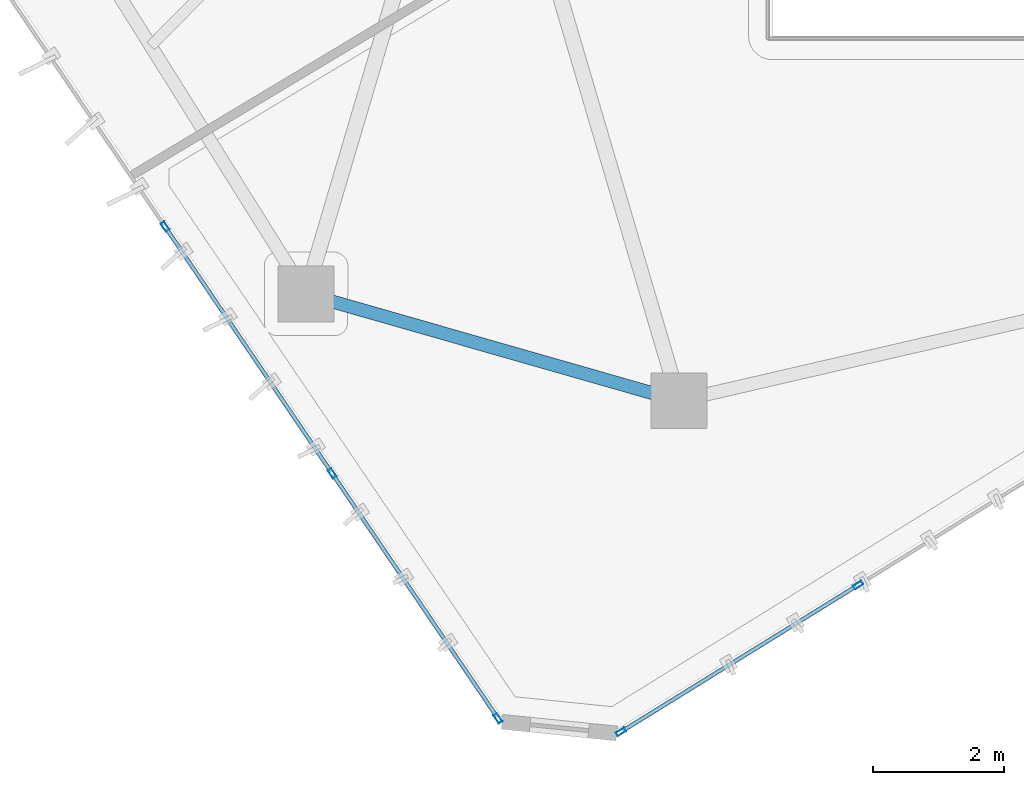
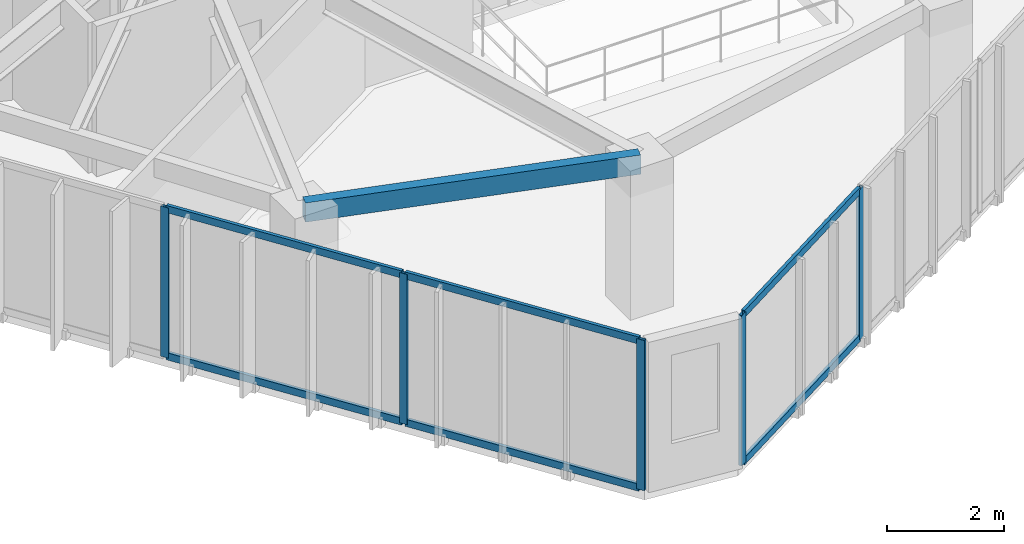
# One storey, part 2 of 20: 11 members, 1 beam, 2 elements without a shape of their own.
"""IFC4 building model written with IfcOpenShell, lengths in metres."""

from ifc_helpers import new_model, si_unit, direction, frame, origin, origin_2d, place, context, subcontext, project, spatial, hollow_rectangle, extrude, source, transform, mapped, material, layer, layer_set, material_profile, profile_set, type_object, type_shapes, element, aggregate, save


model = new_model("IFC4")

# Units and contexts
model_context = context("Model", 3, precision=1e-05, world=origin(), true_north=direction((0.0, 1.0)))
body_context = subcontext(model_context, "Body", "Model", "MODEL_VIEW")
ifc_project = project(units=[si_unit("LENGTHUNIT", "METRE"), si_unit("AREAUNIT", "SQUARE_METRE"), si_unit("VOLUMEUNIT", "CUBIC_METRE"), si_unit("PLANEANGLEUNIT", "RADIAN"), si_unit("MASSUNIT", "GRAM", prefix="KILO")], contexts=[model_context])

# Site, building, storey
site_placement = place(None, origin())
site = spatial("IfcSite", under=ifc_project, at=site_placement, CompositionType="ELEMENT")
building_placement = place(site_placement, origin())
building = spatial("IfcBuilding", under=site, at=building_placement, Name="Talar Marvaseh", CompositionType="ELEMENT")
storey_placement = place(building_placement, frame((0.0, 0.0, 251.0)))
storey = spatial("IfcBuildingStorey", under=building, at=storey_placement, Name="L66", CompositionType="ELEMENT", Elevation=251.0)

# Beam
ifc_material_1 = material(Name="Steel S355", Category="steel")
ifc_material_profile_1 = material_profile(ifc_material_1, hollow_rectangle(XDim=0.199951171875, YDim=0.39990234375, WallThickness=0.013916015625, at=origin_2d()), Name="RHS400x200x14")
ifc_profile_set_1 = profile_set([ifc_material_profile_1], Name="Steel S355")
beam_type = type_object("IfcBeamType", Name="Zone 3 Perimeter Spandrel Beam RHS400x200x14", PredefinedType="SPANDREL", material=ifc_profile_set_1)
beam_placement = place(storey_placement, frame((21.77587890625, 15.0400390625, 2.93994140625), z_axis=(-0.961411768303, 0.275113452538, 0.0), x_axis=(-0.275113452538, -0.961411768303, 0.0)))
element("IfcBeam", 1, at=beam_placement, inside=storey, type_object=beam_type, Name="L66 Zone 3 Perimeter Spandrel Beam RHS400x200x14", PredefinedType="SPANDREL", context=body_context, shape_type="SweptSolid", body=[
    extrude(hollow_rectangle(XDim=0.199951171875, YDim=0.39990234375, WallThickness=0.013916015625, at=origin_2d()), origin(), (0.0, 0.0, 1.0), 5.917236328125),
])

# Curtain wall, members
ifc_material_2 = material(Name="Architectural Aluminium", Category="aluminium")
ifc_layer = layer(ifc_material_2, 0.179931640625)
ifc_layer_set = layer_set([ifc_layer], Name="Architectural Aluminium")
curtain_wall_type = type_object("IfcCurtainWallType", Name="Unitised High-Wind Sky Curtain Wall Z4", PredefinedType="NOTDEFINED", material=ifc_layer_set)
curtain_wall_1_placement = place(storey_placement, origin())
curtain_wall_1 = element("IfcCurtainWall", 2, at=curtain_wall_1_placement, inside=storey, type_object=curtain_wall_type, Name="L66 Unitised High-Wind Sky Curtain Wall Z4", PredefinedType="NOTDEFINED")
ifc_material_profile_2 = material_profile(ifc_material_2, hollow_rectangle(XDim=0.06494140625, YDim=0.14990234375, WallThickness=0.00390625, at=origin_2d()), Name="RHS150x65x4")
ifc_profile_set_2 = profile_set([ifc_material_profile_2], Name="Architectural Aluminium")
member_type_1 = type_object("IfcMemberType", Name="Unitised Curtain Wall Slim Mullion RHS150x65x4", PredefinedType="MULLION", material=ifc_profile_set_2)
shared_shape_1 = source(origin(), body_context, "Body", "SweptSolid", [
    extrude(hollow_rectangle(XDim=0.06494140625, YDim=0.14990234375, WallThickness=0.00390625, at=origin_2d()), origin(), (0.0, 0.0, 1.0), 3.139892578125),
])
type_shapes(member_type_1, [shared_shape_1])
member_1_placement = place(storey_placement, frame((19.01611328125, 10.195556640625, 0.0), z_axis=(0.0, 0.0, 1.0), x_axis=(-0.828098262925, -0.560582970612, 0.0)))
member_1 = element("IfcMember", 3, at=member_1_placement, type_object=member_type_1, Name="CW-Z4 mullion 1", PredefinedType="MULLION", context=body_context, shape_type="MappedRepresentation", body=[
    mapped(shared_shape_1, transform((0.0, 0.0, 0.0), x_axis=(1.0, 0.0, 0.0), y_axis=(0.0, 1.0, 0.0), z_axis=(0.0, 0.0, 1.0), scale=1.0)),
])
member_2_placement = place(storey_placement, frame((16.486572265625, 13.932373046875, 0.0), z_axis=(0.0, 0.0, 1.0), x_axis=(-0.828098262925, -0.560582970612, 0.0)))
member_2 = element("IfcMember", 4, at=member_2_placement, type_object=member_type_1, Name="CW-Z4 mullion 2", PredefinedType="MULLION", context=body_context, shape_type="MappedRepresentation", body=[
    mapped(shared_shape_1, transform((0.0, 0.0, 0.0), x_axis=(1.0, 0.0, 0.0), y_axis=(0.0, 1.0, 0.0), z_axis=(0.0, 0.0, 1.0), scale=1.0)),
])
member_3_placement = place(storey_placement, frame((13.938720703125, 17.696044921875, 0.0), z_axis=(0.0, 0.0, 1.0), x_axis=(-0.828098262925, -0.560582970612, 0.0)))
member_3 = element("IfcMember", 5, at=member_3_placement, type_object=member_type_1, Name="CW-Z4 mullion 3", PredefinedType="MULLION", context=body_context, shape_type="MappedRepresentation", body=[
    mapped(shared_shape_1, transform((0.0, 0.0, 0.0), x_axis=(1.0, 0.0, 0.0), y_axis=(0.0, 1.0, 0.0), z_axis=(0.0, 0.0, 1.0), scale=1.0)),
])

curtain_wall_2_placement = place(storey_placement, origin())
curtain_wall_2 = element("IfcCurtainWall", 6, at=curtain_wall_2_placement, inside=storey, type_object=curtain_wall_type, Name="L66 Unitised High-Wind Sky Curtain Wall Z4", PredefinedType="NOTDEFINED")
member_4_placement = place(storey_placement, frame((24.509033203125, 12.22900390625, 0.0), z_axis=(0.0, 0.0, 1.0), x_axis=(0.526349795552, -0.850268129899, 0.0)))
member_4 = element("IfcMember", 7, at=member_4_placement, type_object=member_type_1, Name="CW-Z4 mullion 4", PredefinedType="MULLION", context=body_context, shape_type="MappedRepresentation", body=[
    mapped(shared_shape_1, transform((0.0, 0.0, 0.0), x_axis=(1.0, 0.0, 0.0), y_axis=(0.0, 1.0, 0.0), z_axis=(0.0, 0.0, 1.0), scale=1.0)),
])
member_5_placement = place(storey_placement, frame((20.892333984375, 9.989990234375, 0.0), z_axis=(0.0, 0.0, 1.0), x_axis=(0.526349795552, -0.850268129899, 0.0)))
member_5 = element("IfcMember", 8, at=member_5_placement, type_object=member_type_1, Name="CW-Z4 mullion 5", PredefinedType="MULLION", context=body_context, shape_type="MappedRepresentation", body=[
    mapped(shared_shape_1, transform((0.0, 0.0, 0.0), x_axis=(1.0, 0.0, 0.0), y_axis=(0.0, 1.0, 0.0), z_axis=(0.0, 0.0, 1.0), scale=1.0)),
])

# Member
ifc_material_profile_3 = material_profile(ifc_material_2, hollow_rectangle(XDim=0.06494140625, YDim=0.14990234375, WallThickness=0.00390625, at=origin_2d()), Name="RHS150x65x4")
ifc_profile_set_3 = profile_set([ifc_material_profile_3], Name="Architectural Aluminium")
member_type_2 = type_object("IfcMemberType", Name="Unitised Curtain Wall Slim Transom RHS150x65x4", PredefinedType="USERDEFINED", material=ifc_profile_set_3)
shared_shape_2 = source(origin(), body_context, "Body", "SweptSolid", [
    extrude(hollow_rectangle(XDim=0.06494140625, YDim=0.14990234375, WallThickness=0.00390625, at=origin_2d()), origin(), (0.0, 0.0, 1.0), 4.479736328125),
])
member_6_placement = place(storey_placement, frame((16.46826171875, 13.959228515625, 0.032470703125), z_axis=(-0.56057216162, 0.828105579994, 0.0), x_axis=(-0.828105579994, -0.56057216162, 0.0)))
member_6 = element("IfcMember", 9, at=member_6_placement, type_object=member_type_2, Name="CW-Z4 transom 2.1", ObjectType="TRANSOM", PredefinedType="USERDEFINED", context=body_context, shape_type="MappedRepresentation", body=[
    mapped(shared_shape_2, transform((0.0, 0.0, 0.0), x_axis=(1.0, 0.0, 0.0), y_axis=(0.0, 1.0, 0.0), z_axis=(0.0, 0.0, 1.0), scale=1.0)),
])

member_7_placement = place(storey_placement, frame((16.46826171875, 13.959228515625, 3.107421875), z_axis=(-0.56057216162, 0.828105579994, 0.0), x_axis=(-0.828105579994, -0.56057216162, 0.0)))
member_7 = element("IfcMember", 10, at=member_7_placement, type_object=member_type_2, Name="CW-Z4 transom 2.2", ObjectType="TRANSOM", PredefinedType="USERDEFINED", context=body_context, shape_type="MappedRepresentation", body=[
    mapped(shared_shape_2, transform((0.0, 0.0, 0.0), x_axis=(1.0, 0.0, 0.0), y_axis=(0.0, 1.0, 0.0), z_axis=(0.0, 0.0, 1.0), scale=1.0)),
])

shared_shape_3 = source(origin(), body_context, "Body", "SweptSolid", [
    extrude(hollow_rectangle(XDim=0.06494140625, YDim=0.14990234375, WallThickness=0.00390625, at=origin_2d()), origin(), (0.0, 0.0, 1.0), 4.447509765625),
])
member_8_placement = place(storey_placement, frame((18.998046875, 10.222412109375, 0.032470703125), z_axis=(-0.560564095382, 0.828111040241, 0.0), x_axis=(-0.828111040241, -0.560564095382, 0.0)))
member_8 = element("IfcMember", 11, at=member_8_placement, type_object=member_type_2, Name="CW-Z4 transom 1.1", ObjectType="TRANSOM", PredefinedType="USERDEFINED", context=body_context, shape_type="MappedRepresentation", body=[
    mapped(shared_shape_3, transform((0.0, 0.0, 0.0), x_axis=(1.0, 0.0, 0.0), y_axis=(0.0, 1.0, 0.0), z_axis=(0.0, 0.0, 1.0), scale=1.0)),
])

member_9_placement = place(storey_placement, frame((18.998046875, 10.222412109375, 3.107421875), z_axis=(-0.560564095382, 0.828111040241, 0.0), x_axis=(-0.828111040241, -0.560564095382, 0.0)))
member_9 = element("IfcMember", 12, at=member_9_placement, type_object=member_type_2, Name="CW-Z4 transom 1.2", ObjectType="TRANSOM", PredefinedType="USERDEFINED", context=body_context, shape_type="MappedRepresentation", body=[
    mapped(shared_shape_3, transform((0.0, 0.0, 0.0), x_axis=(1.0, 0.0, 0.0), y_axis=(0.0, 1.0, 0.0), z_axis=(0.0, 0.0, 1.0), scale=1.0)),
])

aggregate(curtain_wall_1, [member_1, member_2, member_3, member_8, member_9, member_6, member_7])

shared_shape_4 = source(origin(), body_context, "Body", "SweptSolid", [
    extrude(hollow_rectangle(XDim=0.06494140625, YDim=0.14990234375, WallThickness=0.00390625, at=origin_2d()), origin(), (0.0, 0.0, 1.0), 4.188720703125),
])
type_shapes(member_type_2, [shared_shape_2, shared_shape_3, shared_shape_4])
member_10_placement = place(storey_placement, frame((24.4814453125, 12.2119140625, 0.032470703125), z_axis=(-0.850256451649, -0.526368660189, 0.0), x_axis=(0.526368660189, -0.850256451649, 0.0)))
member_10 = element("IfcMember", 13, at=member_10_placement, type_object=member_type_2, Name="CW-Z4 transom 4.1", ObjectType="TRANSOM", PredefinedType="USERDEFINED", context=body_context, shape_type="MappedRepresentation", body=[
    mapped(shared_shape_4, transform((0.0, 0.0, 0.0), x_axis=(1.0, 0.0, 0.0), y_axis=(0.0, 1.0, 0.0), z_axis=(0.0, 0.0, 1.0), scale=1.0)),
])

member_11_placement = place(storey_placement, frame((24.4814453125, 12.2119140625, 3.107421875), z_axis=(-0.850256451649, -0.526368660189, 0.0), x_axis=(0.526368660189, -0.850256451649, 0.0)))
member_11 = element("IfcMember", 14, at=member_11_placement, type_object=member_type_2, Name="CW-Z4 transom 4.2", ObjectType="TRANSOM", PredefinedType="USERDEFINED", context=body_context, shape_type="MappedRepresentation", body=[
    mapped(shared_shape_4, transform((0.0, 0.0, 0.0), x_axis=(1.0, 0.0, 0.0), y_axis=(0.0, 1.0, 0.0), z_axis=(0.0, 0.0, 1.0), scale=1.0)),
])

aggregate(curtain_wall_2, [member_4, member_5, member_10, member_11])

save(model, "model.ifc")
